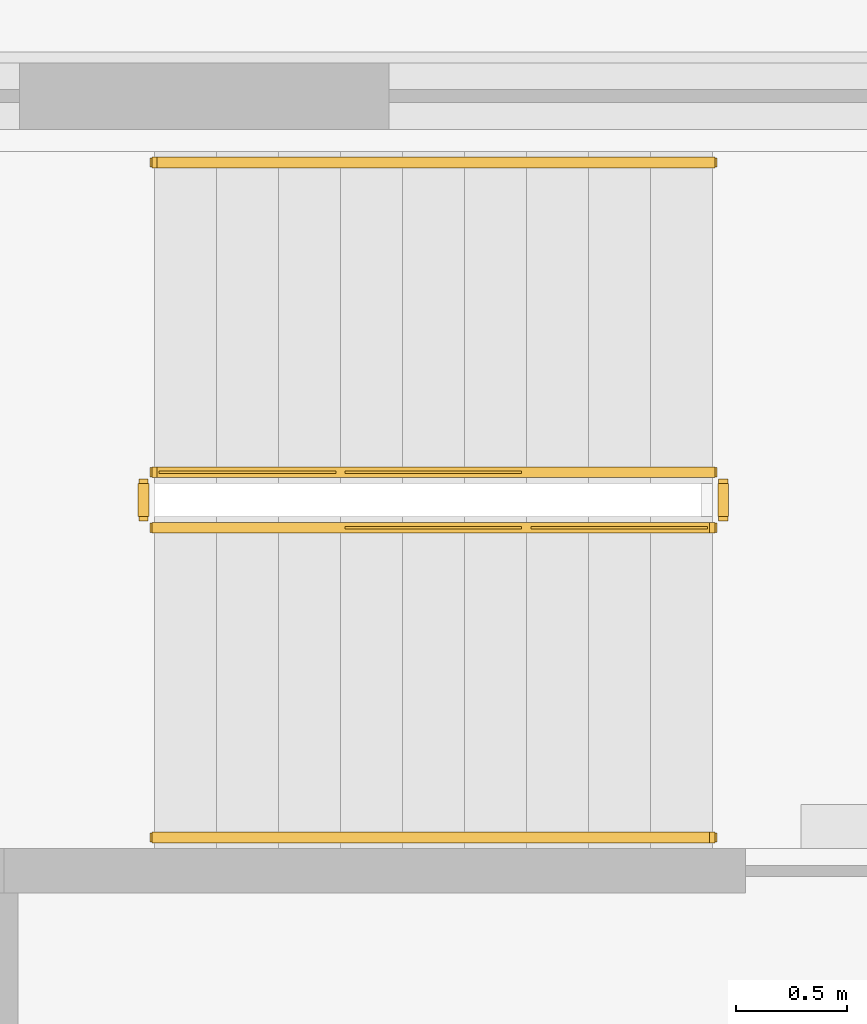
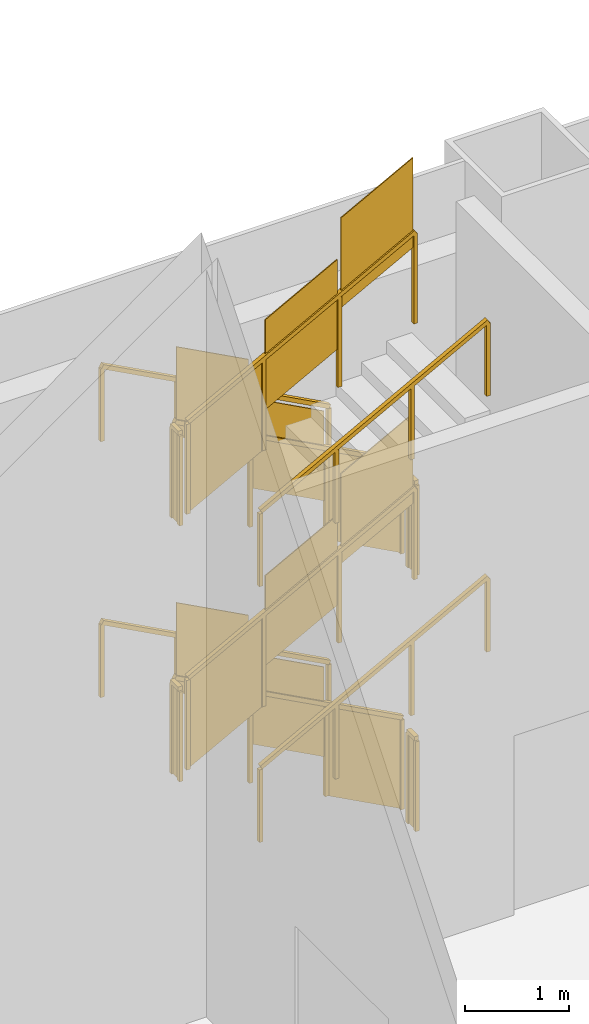
# One storey, part 27 of 31: 12 railings.
"""IFC4 building model written with IfcOpenShell, lengths in metres."""

from ifc_helpers import new_model, si_unit, direction, frame, origin, origin_2d, place, context, subcontext, project, spatial, polyline, rectangle, outline, extrude, material, type_object, element, save


model = new_model("IFC4")

# Units and contexts
model_context = context("Model", 3, precision=1e-05, world=origin(), true_north=direction((0.0, 1.0)))
body_context = subcontext(model_context, "Body", "Model", "MODEL_VIEW")
ifc_project = project(units=[si_unit("LENGTHUNIT", "METRE"), si_unit("AREAUNIT", "SQUARE_METRE"), si_unit("VOLUMEUNIT", "CUBIC_METRE"), si_unit("PLANEANGLEUNIT", "RADIAN"), si_unit("MASSUNIT", "GRAM", prefix="KILO")], contexts=[model_context])

# Site, building, storey
site_placement = place(None, origin())
site = spatial("IfcSite", under=ifc_project, at=site_placement, CompositionType="ELEMENT")
building_placement = place(site_placement, origin())
building = spatial("IfcBuilding", under=site, at=building_placement, Name="Cairn Pilgrim Tower", CompositionType="ELEMENT")
storey_placement = place(building_placement, frame((0.0, 0.0, 9.0)))
storey = spatial("IfcBuildingStorey", under=building, at=storey_placement, Name="L01", CompositionType="ELEMENT", Elevation=9.0)

# Railings
ifc_material = material(Name="Painted steel", Category="steel")
railing_type_1 = type_object("IfcRailingType", Name="PODIUM STAIR GUARD 1100", PredefinedType="GUARDRAIL", material=ifc_material)
railing_1_placement = place(storey_placement, frame((-25.60009765625, 26.5, 0.14990234375)))
element("IfcRailing", 1, at=railing_1_placement, inside=storey, type_object=railing_type_1, Name="L01 ST-HN stair guard 1", PredefinedType="GUARDRAIL", context=body_context, shape_type="SweptSolid", body=[
    extrude(rectangle(XDim=0.048095703125, YDim=0.048095703125, at=origin_2d()), frame((0.0, 0.0, 1.076171875), z_axis=(-0.881467274426, 0.0, 0.472245110209), x_axis=(0.0, -1.0, 0.0)), (0.0, 0.0, 1.0), 2.85888671875),
    extrude(rectangle(XDim=0.0419921875, YDim=0.0419921875, at=origin_2d()), origin(), (0.0, 0.0, 1.0), 1.052001953125),
    extrude(rectangle(XDim=0.0419921875, YDim=0.0419921875, at=origin_2d()), frame((-0.840087890625, 0.0, 0.449951171875)), (0.0, 0.0, 1.0), 1.052001953125),
    extrude(rectangle(XDim=0.0419921875, YDim=0.0419921875, at=origin_2d()), frame((-1.679931640625, 0.0, 0.900146484375)), (0.0, 0.0, 1.0), 1.052001953125),
    extrude(rectangle(XDim=0.0419921875, YDim=0.0419921875, at=origin_2d()), frame((-2.52001953125, 0.0, 1.35009765625)), (0.0, 0.0, 1.0), 1.052001953125),
    extrude(outline(polyline([(0.02099609375, 0.01123046875), (0.819091796875, 0.438720703125), (0.819091796875, 1.49072265625), (0.02099609375, 1.063232421875), (0.02099609375, 0.01123046875)])), frame((0.0, -0.005859375, 0.0), z_axis=(0.0, 1.0, 0.0), x_axis=(-1.0, 0.0, 0.0)), (0.0, 0.0, 1.0), 0.011962890625),
    extrude(outline(polyline([(0.02099609375, 0.461181640625), (0.819091796875, 0.888916015625), (0.819091796875, 1.94091796875), (0.02099609375, 1.51318359375), (0.02099609375, 0.461181640625)])), frame((-0.840087890625, -0.005859375, 0.449951171875), z_axis=(0.0, 1.0, 0.0), x_axis=(-1.0, 0.0, 0.0)), (0.0, 0.0, 1.0), 0.011962890625),
    extrude(outline(polyline([(0.02099609375, 0.911376953125), (0.819091796875, 1.3388671875), (0.819091796875, 2.390869140625), (0.02099609375, 1.96337890625), (0.02099609375, 0.911376953125)])), frame((-1.679931640625, -0.005859375, 0.900146484375), z_axis=(0.0, 1.0, 0.0), x_axis=(-1.0, 0.0, 0.0)), (0.0, 0.0, 1.0), 0.011962890625),
])
railing_2_placement = place(storey_placement, frame((-28.169921875, 26.449951171875, 1.5)))
element("IfcRailing", 2, at=railing_2_placement, inside=storey, type_object=railing_type_1, Name="L01 ST-HN stair guard 2", PredefinedType="GUARDRAIL", context=body_context, shape_type="SweptSolid", body=[
    extrude(rectangle(XDim=0.048095703125, YDim=0.048095703125, at=origin_2d()), frame((0.0, 0.0, 1.076171875), z_axis=(0.0, -1.0, 0.0), x_axis=(1.0, 0.0, 0.0)), (0.0, 0.0, 1.0), 0.14990234375),
    extrude(rectangle(XDim=0.0419921875, YDim=0.0419921875, at=origin_2d()), origin(), (0.0, 0.0, 1.0), 1.052001953125),
    extrude(rectangle(XDim=0.0419921875, YDim=0.0419921875, at=origin_2d()), frame((0.0, -0.14990234375, 0.0)), (0.0, 0.0, 1.0), 1.052001953125),
    extrude(outline(polyline([(0.02099609375, 0.0), (0.12890625, 0.0), (0.12890625, 1.052001953125), (0.02099609375, 1.052001953125), (0.02099609375, 0.0)])), frame((0.005859375, 0.0, 0.0), z_axis=(-1.0, 0.0, 0.0), x_axis=(0.0, -1.0, 0.0)), (0.0, 0.0, 1.0), 0.011962890625),
])
railing_3_placement = place(storey_placement, frame((-28.1201171875, 26.25, 1.64990234375)))
element("IfcRailing", 3, at=railing_3_placement, inside=storey, type_object=railing_type_1, Name="L01 ST-HN stair guard 3", PredefinedType="GUARDRAIL", context=body_context, shape_type="SweptSolid", body=[
    extrude(rectangle(XDim=0.048095703125, YDim=0.048095703125, at=origin_2d()), frame((0.0, 0.0, 1.076171875), z_axis=(0.881467274426, 0.0, 0.472245110209), x_axis=(0.0, 1.0, 0.0)), (0.0, 0.0, 1.0), 2.85888671875),
    extrude(rectangle(XDim=0.0419921875, YDim=0.0419921875, at=origin_2d()), origin(), (0.0, 0.0, 1.0), 1.052001953125),
    extrude(rectangle(XDim=0.0419921875, YDim=0.0419921875, at=origin_2d()), frame((0.840087890625, 0.0, 0.449951171875)), (0.0, 0.0, 1.0), 1.052001953125),
    extrude(rectangle(XDim=0.0419921875, YDim=0.0419921875, at=origin_2d()), frame((1.679931640625, 0.0, 0.900146484375)), (0.0, 0.0, 1.0), 1.052001953125),
    extrude(rectangle(XDim=0.0419921875, YDim=0.0419921875, at=origin_2d()), frame((2.52001953125, 0.0, 1.35009765625)), (0.0, 0.0, 1.0), 1.052001953125),
    extrude(outline(polyline([(0.02099609375, 0.01123046875), (0.819091796875, 0.438720703125), (0.819091796875, 1.49072265625), (0.02099609375, 1.063232421875), (0.02099609375, 0.01123046875)])), frame((0.0, 0.005859375, 0.0), z_axis=(0.0, -1.0, 0.0), x_axis=(1.0, 0.0, 0.0)), (0.0, 0.0, 1.0), 0.011962890625),
    extrude(outline(polyline([(0.02099609375, 0.461181640625), (0.819091796875, 0.888916015625), (0.819091796875, 1.94091796875), (0.02099609375, 1.51318359375), (0.02099609375, 0.461181640625)])), frame((0.840087890625, 0.005859375, 0.449951171875), z_axis=(0.0, -1.0, 0.0), x_axis=(1.0, 0.0, 0.0)), (0.0, 0.0, 1.0), 0.011962890625),
    extrude(outline(polyline([(0.02099609375, 0.911376953125), (0.819091796875, 1.3388671875), (0.819091796875, 2.390869140625), (0.02099609375, 1.96337890625), (0.02099609375, 0.911376953125)])), frame((1.679931640625, 0.005859375, 0.900146484375), z_axis=(0.0, -1.0, 0.0), x_axis=(1.0, 0.0, 0.0)), (0.0, 0.0, 1.0), 0.011962890625),
])
railing_4_placement = place(storey_placement, frame((-25.550048828125, 26.449951171875, 3.0)))
element("IfcRailing", 4, at=railing_4_placement, inside=storey, type_object=railing_type_1, Name="L01 ST-HN stair guard 4", PredefinedType="GUARDRAIL", context=body_context, shape_type="SweptSolid", body=[
    extrude(rectangle(XDim=0.048095703125, YDim=0.048095703125, at=origin_2d()), frame((0.0, 0.0, 1.076171875), z_axis=(0.0, -1.0, 0.0), x_axis=(1.0, 0.0, 0.0)), (0.0, 0.0, 1.0), 0.14990234375),
    extrude(rectangle(XDim=0.0419921875, YDim=0.0419921875, at=origin_2d()), origin(), (0.0, 0.0, 1.0), 1.052001953125),
    extrude(rectangle(XDim=0.0419921875, YDim=0.0419921875, at=origin_2d()), frame((0.0, -0.14990234375, 0.0)), (0.0, 0.0, 1.0), 1.052001953125),
    extrude(outline(polyline([(0.02099609375, 0.0), (0.12890625, 0.0), (0.12890625, 1.052001953125), (0.02099609375, 1.052001953125), (0.02099609375, 0.0)])), frame((0.005859375, 0.0, 0.0), z_axis=(-1.0, 0.0, 0.0), x_axis=(0.0, -1.0, 0.0)), (0.0, 0.0, 1.0), 0.011962890625),
])
railing_5_placement = place(storey_placement, frame((-25.60009765625, 26.5, 3.14990234375)))
element("IfcRailing", 5, at=railing_5_placement, inside=storey, type_object=railing_type_1, Name="L01 ST-HN stair guard 5", PredefinedType="GUARDRAIL", context=body_context, shape_type="SweptSolid", body=[
    extrude(rectangle(XDim=0.048095703125, YDim=0.048095703125, at=origin_2d()), frame((0.0, 0.0, 1.076171875), z_axis=(-0.881467274426, 0.0, 0.472245110209), x_axis=(0.0, -1.0, 0.0)), (0.0, 0.0, 1.0), 2.85888671875),
    extrude(rectangle(XDim=0.0419921875, YDim=0.0419921875, at=origin_2d()), origin(), (0.0, 0.0, 1.0), 1.052001953125),
    extrude(rectangle(XDim=0.0419921875, YDim=0.0419921875, at=origin_2d()), frame((-0.840087890625, 0.0, 0.449951171875)), (0.0, 0.0, 1.0), 1.052001953125),
    extrude(rectangle(XDim=0.0419921875, YDim=0.0419921875, at=origin_2d()), frame((-1.679931640625, 0.0, 0.900146484375)), (0.0, 0.0, 1.0), 1.052001953125),
    extrude(rectangle(XDim=0.0419921875, YDim=0.0419921875, at=origin_2d()), frame((-2.52001953125, 0.0, 1.35009765625)), (0.0, 0.0, 1.0), 1.052001953125),
    extrude(outline(polyline([(0.02099609375, 0.01123046875), (0.819091796875, 0.438720703125), (0.819091796875, 1.49072265625), (0.02099609375, 1.063232421875), (0.02099609375, 0.01123046875)])), frame((0.0, -0.005859375, 0.0), z_axis=(0.0, 1.0, 0.0), x_axis=(-1.0, 0.0, 0.0)), (0.0, 0.0, 1.0), 0.011962890625),
    extrude(outline(polyline([(0.02099609375, 0.461181640625), (0.819091796875, 0.888916015625), (0.819091796875, 1.94091796875), (0.02099609375, 1.51318359375), (0.02099609375, 0.461181640625)])), frame((-0.840087890625, -0.005859375, 0.449951171875), z_axis=(0.0, 1.0, 0.0), x_axis=(-1.0, 0.0, 0.0)), (0.0, 0.0, 1.0), 0.011962890625),
    extrude(outline(polyline([(0.02099609375, 0.911376953125), (0.819091796875, 1.3388671875), (0.819091796875, 2.390869140625), (0.02099609375, 1.96337890625), (0.02099609375, 0.911376953125)])), frame((-1.679931640625, -0.005859375, 0.900146484375), z_axis=(0.0, 1.0, 0.0), x_axis=(-1.0, 0.0, 0.0)), (0.0, 0.0, 1.0), 0.011962890625),
])
railing_6_placement = place(storey_placement, frame((-28.169921875, 26.449951171875, 4.5)))
element("IfcRailing", 6, at=railing_6_placement, inside=storey, type_object=railing_type_1, Name="L01 ST-HN stair guard 6", PredefinedType="GUARDRAIL", context=body_context, shape_type="SweptSolid", body=[
    extrude(rectangle(XDim=0.048095703125, YDim=0.048095703125, at=origin_2d()), frame((0.0, 0.0, 1.076171875), z_axis=(0.0, -1.0, 0.0), x_axis=(1.0, 0.0, 0.0)), (0.0, 0.0, 1.0), 0.14990234375),
    extrude(rectangle(XDim=0.0419921875, YDim=0.0419921875, at=origin_2d()), origin(), (0.0, 0.0, 1.0), 1.052001953125),
    extrude(rectangle(XDim=0.0419921875, YDim=0.0419921875, at=origin_2d()), frame((0.0, -0.14990234375, 0.0)), (0.0, 0.0, 1.0), 1.052001953125),
    extrude(outline(polyline([(0.02099609375, 0.0), (0.12890625, 0.0), (0.12890625, 1.052001953125), (0.02099609375, 1.052001953125), (0.02099609375, 0.0)])), frame((0.005859375, 0.0, 0.0), z_axis=(-1.0, 0.0, 0.0), x_axis=(0.0, -1.0, 0.0)), (0.0, 0.0, 1.0), 0.011962890625),
])
railing_7_placement = place(storey_placement, frame((-28.1201171875, 26.25, 4.64990234375)))
element("IfcRailing", 7, at=railing_7_placement, inside=storey, type_object=railing_type_1, Name="L01 ST-HN stair guard 7", PredefinedType="GUARDRAIL", context=body_context, shape_type="SweptSolid", body=[
    extrude(rectangle(XDim=0.048095703125, YDim=0.048095703125, at=origin_2d()), frame((0.0, 0.0, 1.076171875), z_axis=(0.881467274426, 0.0, 0.472245110209), x_axis=(0.0, 1.0, 0.0)), (0.0, 0.0, 1.0), 2.85888671875),
    extrude(rectangle(XDim=0.0419921875, YDim=0.0419921875, at=origin_2d()), origin(), (0.0, 0.0, 1.0), 1.052001953125),
    extrude(rectangle(XDim=0.0419921875, YDim=0.0419921875, at=origin_2d()), frame((0.840087890625, 0.0, 0.449951171875)), (0.0, 0.0, 1.0), 1.052001953125),
    extrude(rectangle(XDim=0.0419921875, YDim=0.0419921875, at=origin_2d()), frame((1.679931640625, 0.0, 0.900146484375)), (0.0, 0.0, 1.0), 1.052001953125),
    extrude(rectangle(XDim=0.0419921875, YDim=0.0419921875, at=origin_2d()), frame((2.52001953125, 0.0, 1.35009765625)), (0.0, 0.0, 1.0), 1.052001953125),
    extrude(outline(polyline([(0.02099609375, 0.01123046875), (0.819091796875, 0.438720703125), (0.819091796875, 1.49072265625), (0.02099609375, 1.063232421875), (0.02099609375, 0.01123046875)])), frame((0.0, 0.005859375, 0.0), z_axis=(0.0, -1.0, 0.0), x_axis=(1.0, 0.0, 0.0)), (0.0, 0.0, 1.0), 0.011962890625),
    extrude(outline(polyline([(0.02099609375, 0.461181640625), (0.819091796875, 0.888916015625), (0.819091796875, 1.94091796875), (0.02099609375, 1.51318359375), (0.02099609375, 0.461181640625)])), frame((0.840087890625, 0.005859375, 0.449951171875), z_axis=(0.0, -1.0, 0.0), x_axis=(1.0, 0.0, 0.0)), (0.0, 0.0, 1.0), 0.011962890625),
    extrude(outline(polyline([(0.02099609375, 0.911376953125), (0.819091796875, 1.3388671875), (0.819091796875, 2.390869140625), (0.02099609375, 1.96337890625), (0.02099609375, 0.911376953125)])), frame((1.679931640625, 0.005859375, 0.900146484375), z_axis=(0.0, -1.0, 0.0), x_axis=(1.0, 0.0, 0.0)), (0.0, 0.0, 1.0), 0.011962890625),
])
railing_8_placement = place(storey_placement, frame((-25.550048828125, 26.449951171875, 0.0)))
element("IfcRailing", 8, at=railing_8_placement, inside=storey, type_object=railing_type_1, Name="L01 ST-HN stair guard 8", PredefinedType="GUARDRAIL", context=body_context, shape_type="SweptSolid", body=[
    extrude(rectangle(XDim=0.048095703125, YDim=0.048095703125, at=origin_2d()), frame((0.0, 0.0, 1.076171875), z_axis=(0.0, -1.0, 0.0), x_axis=(1.0, 0.0, 0.0)), (0.0, 0.0, 1.0), 0.14990234375),
    extrude(rectangle(XDim=0.0419921875, YDim=0.0419921875, at=origin_2d()), origin(), (0.0, 0.0, 1.0), 1.052001953125),
    extrude(rectangle(XDim=0.0419921875, YDim=0.0419921875, at=origin_2d()), frame((0.0, -0.14990234375, 0.0)), (0.0, 0.0, 1.0), 1.052001953125),
    extrude(outline(polyline([(0.02099609375, 0.0), (0.12890625, 0.0), (0.12890625, 1.052001953125), (0.02099609375, 1.052001953125), (0.02099609375, 0.0)])), frame((0.005859375, 0.0, 0.0), z_axis=(-1.0, 0.0, 0.0), x_axis=(0.0, -1.0, 0.0)), (0.0, 0.0, 1.0), 0.011962890625),
])
railing_type_2 = type_object("IfcRailingType", Name="PODIUM STAIR HANDRAIL 900", PredefinedType="HANDRAIL", material=ifc_material)
railing_9_placement = place(storey_placement, frame((-25.60009765625, 27.89990234375, 0.14990234375)))
element("IfcRailing", 9, at=railing_9_placement, inside=storey, type_object=railing_type_2, Name="L01 ST-HN stair handrail 1", PredefinedType="HANDRAIL", context=body_context, shape_type="SweptSolid", body=[
    extrude(rectangle(XDim=0.048095703125, YDim=0.048095703125, at=origin_2d()), frame((0.0, 0.0, 0.8759765625), z_axis=(-0.881467274426, 0.0, 0.472245110209), x_axis=(0.0, -1.0, 0.0)), (0.0, 0.0, 1.0), 2.85888671875),
    extrude(rectangle(XDim=0.0419921875, YDim=0.0419921875, at=origin_2d()), origin(), (0.0, 0.0, 1.0), 0.851806640625),
    extrude(rectangle(XDim=0.0419921875, YDim=0.0419921875, at=origin_2d()), frame((-0.840087890625, 0.0, 0.449951171875)), (0.0, 0.0, 1.0), 0.851806640625),
    extrude(rectangle(XDim=0.0419921875, YDim=0.0419921875, at=origin_2d()), frame((-1.679931640625, 0.0, 0.900146484375)), (0.0, 0.0, 1.0), 0.851806640625),
    extrude(rectangle(XDim=0.0419921875, YDim=0.0419921875, at=origin_2d()), frame((-2.52001953125, 0.0, 1.35009765625)), (0.0, 0.0, 1.0), 0.851806640625),
])
railing_10_placement = place(storey_placement, frame((-28.1201171875, 24.85009765625, 1.64990234375)))
element("IfcRailing", 10, at=railing_10_placement, inside=storey, type_object=railing_type_2, Name="L01 ST-HN stair handrail 2", PredefinedType="HANDRAIL", context=body_context, shape_type="SweptSolid", body=[
    extrude(rectangle(XDim=0.048095703125, YDim=0.048095703125, at=origin_2d()), frame((0.0, 0.0, 0.8759765625), z_axis=(0.881467274426, 0.0, 0.472245110209), x_axis=(0.0, 1.0, 0.0)), (0.0, 0.0, 1.0), 2.85888671875),
    extrude(rectangle(XDim=0.0419921875, YDim=0.0419921875, at=origin_2d()), origin(), (0.0, 0.0, 1.0), 0.851806640625),
    extrude(rectangle(XDim=0.0419921875, YDim=0.0419921875, at=origin_2d()), frame((0.840087890625, 0.0, 0.449951171875)), (0.0, 0.0, 1.0), 0.851806640625),
    extrude(rectangle(XDim=0.0419921875, YDim=0.0419921875, at=origin_2d()), frame((1.679931640625, 0.0, 0.900146484375)), (0.0, 0.0, 1.0), 0.851806640625),
    extrude(rectangle(XDim=0.0419921875, YDim=0.0419921875, at=origin_2d()), frame((2.52001953125, 0.0, 1.35009765625)), (0.0, 0.0, 1.0), 0.851806640625),
])
railing_11_placement = place(storey_placement, frame((-25.60009765625, 27.89990234375, 3.14990234375)))
element("IfcRailing", 11, at=railing_11_placement, inside=storey, type_object=railing_type_2, Name="L01 ST-HN stair handrail 3", PredefinedType="HANDRAIL", context=body_context, shape_type="SweptSolid", body=[
    extrude(rectangle(XDim=0.048095703125, YDim=0.048095703125, at=origin_2d()), frame((0.0, 0.0, 0.8759765625), z_axis=(-0.881467274426, 0.0, 0.472245110209), x_axis=(0.0, -1.0, 0.0)), (0.0, 0.0, 1.0), 2.85888671875),
    extrude(rectangle(XDim=0.0419921875, YDim=0.0419921875, at=origin_2d()), origin(), (0.0, 0.0, 1.0), 0.851806640625),
    extrude(rectangle(XDim=0.0419921875, YDim=0.0419921875, at=origin_2d()), frame((-0.840087890625, 0.0, 0.449951171875)), (0.0, 0.0, 1.0), 0.851806640625),
    extrude(rectangle(XDim=0.0419921875, YDim=0.0419921875, at=origin_2d()), frame((-1.679931640625, 0.0, 0.900146484375)), (0.0, 0.0, 1.0), 0.851806640625),
    extrude(rectangle(XDim=0.0419921875, YDim=0.0419921875, at=origin_2d()), frame((-2.52001953125, 0.0, 1.35009765625)), (0.0, 0.0, 1.0), 0.851806640625),
])
railing_12_placement = place(storey_placement, frame((-28.1201171875, 24.85009765625, 4.64990234375)))
element("IfcRailing", 12, at=railing_12_placement, inside=storey, type_object=railing_type_2, Name="L01 ST-HN stair handrail 4", PredefinedType="HANDRAIL", context=body_context, shape_type="SweptSolid", body=[
    extrude(rectangle(XDim=0.048095703125, YDim=0.048095703125, at=origin_2d()), frame((0.0, 0.0, 0.8759765625), z_axis=(0.881467274426, 0.0, 0.472245110209), x_axis=(0.0, 1.0, 0.0)), (0.0, 0.0, 1.0), 2.85888671875),
    extrude(rectangle(XDim=0.0419921875, YDim=0.0419921875, at=origin_2d()), origin(), (0.0, 0.0, 1.0), 0.851806640625),
    extrude(rectangle(XDim=0.0419921875, YDim=0.0419921875, at=origin_2d()), frame((0.840087890625, 0.0, 0.449951171875)), (0.0, 0.0, 1.0), 0.851806640625),
    extrude(rectangle(XDim=0.0419921875, YDim=0.0419921875, at=origin_2d()), frame((1.679931640625, 0.0, 0.900146484375)), (0.0, 0.0, 1.0), 0.851806640625),
    extrude(rectangle(XDim=0.0419921875, YDim=0.0419921875, at=origin_2d()), frame((2.52001953125, 0.0, 1.35009765625)), (0.0, 0.0, 1.0), 0.851806640625),
])

save(model, "model.ifc")
